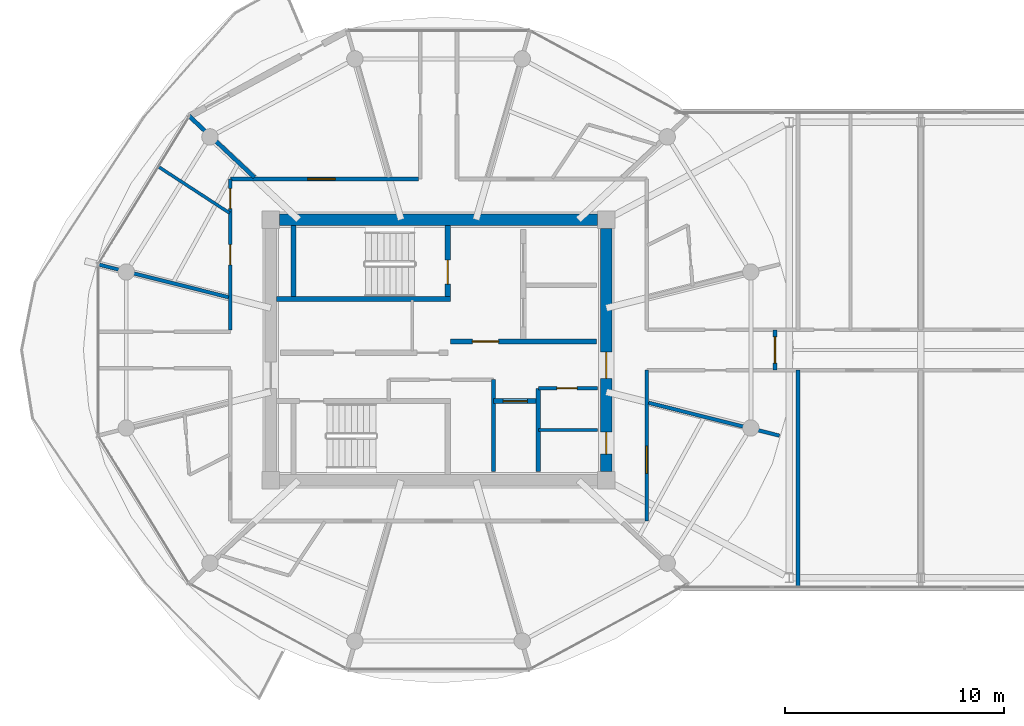
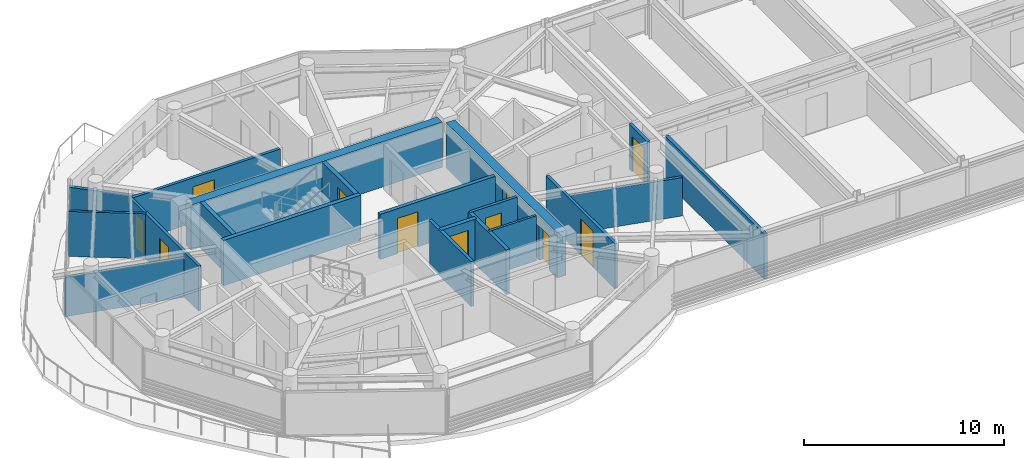
# One storey, part 15 of 23: 20 walls, 11 doors, 11 openings.
"""IFC4 building model written with IfcOpenShell, lengths in metres."""

from ifc_helpers import new_model, si_unit, direction, frame, frame_2d, origin, place, context, subcontext, project, spatial, rectangle, extrude, source, transform, mapped, material, layer, layer_set, type_object, type_shapes, element, fill, save


model = new_model("IFC4")

# Units and contexts
model_context = context("Model", 3, precision=1e-05, world=origin(), true_north=direction((0.0, 1.0)))
body_context = subcontext(model_context, "Body", "Model", "MODEL_VIEW")
ifc_project = project(units=[si_unit("LENGTHUNIT", "METRE"), si_unit("AREAUNIT", "SQUARE_METRE"), si_unit("VOLUMEUNIT", "CUBIC_METRE"), si_unit("PLANEANGLEUNIT", "RADIAN"), si_unit("MASSUNIT", "GRAM", prefix="KILO")], contexts=[model_context])

# Site, building, storey
site_placement = place(None, origin())
site = spatial("IfcSite", under=ifc_project, at=site_placement, CompositionType="ELEMENT")
building_placement = place(site_placement, origin())
building = spatial("IfcBuilding", under=site, at=building_placement, Name="Norrkilde Senior Care Towers", CompositionType="ELEMENT")
storey_placement = place(building_placement, frame((0.0, 0.0, 207.800048828125)))
storey = spatial("IfcBuildingStorey", under=building, at=storey_placement, Name="L64", CompositionType="ELEMENT", Elevation=207.800048828125)

# Wall
ifc_material_1 = material(Name="Concrete C50/60", Category="concrete")
ifc_layer_1 = layer(ifc_material_1, 0.52001953125)
ifc_layer_set_1 = layer_set([ifc_layer_1], Name="Concrete C50/60")
wall_type_1 = type_object("IfcWallType", Name="Core Shear Wall Z4 520", PredefinedType="SHEAR", material=ifc_layer_set_1)
shared_shape_1 = source(origin(), body_context, "Body", "SweptSolid", [
    extrude(rectangle(XDim=14.5, YDim=0.52001953125, at=frame_2d((7.25, 0.0))), origin(), (0.0, 0.0, 1.0), 2.760009765625),
])
wall_1_placement = place(storey_placement, frame((-35.25, 5.949951171875, 0.0), z_axis=(0.0, 0.0, 1.0), x_axis=(1.0, 0.0, 0.0)))
element("IfcWall", 1, at=wall_1_placement, inside=storey, type_object=wall_type_1, Name="L64 Core W North Shear Wall", PredefinedType="SHEAR", context=body_context, shape_type="MappedRepresentation", body=[
    mapped(shared_shape_1, transform((0.0, 0.0, 0.0), x_axis=(1.0, 0.0, 0.0), y_axis=(0.0, 1.0, 0.0), z_axis=(0.0, 0.0, 1.0), scale=1.0)),
])

# Wall, openings, doors
shared_shape_2 = source(origin(), body_context, "Body", "SweptSolid", [
    extrude(rectangle(XDim=11.10009765625, YDim=0.52001953125, at=frame_2d((5.550048828125, 0.0))), origin(), (0.0, 0.0, 1.0), 2.760009765625),
])
type_shapes(wall_type_1, [shared_shape_1, shared_shape_2])
wall_2_placement = place(storey_placement, frame((-20.35009765625, 5.550048828125, 0.0), z_axis=(0.0, 0.0, 1.0), x_axis=(0.0, -1.0, 0.0)))
wall_2 = element("IfcWall", 2, at=wall_2_placement, inside=storey, type_object=wall_type_1, Name="L64 Core W East Shear Wall", PredefinedType="SHEAR", context=body_context, shape_type="MappedRepresentation", body=[
    mapped(shared_shape_2, transform((0.0, 0.0, 0.0), x_axis=(1.0, 0.0, 0.0), y_axis=(0.0, 1.0, 0.0), z_axis=(0.0, 0.0, 1.0), scale=1.0)),
])
opening_1_placement = place(wall_2_placement, frame((5.64990234375, 0.0, 0.0)))
opening_1 = element("IfcOpeningElement", 3, at=opening_1_placement, cuts=wall_2, Name="Opening D-04", PredefinedType="OPENING", context=body_context, shape_type="SweptSolid", body=[
    extrude(rectangle(XDim=1.199951171875, YDim=2.14990234375, at=frame_2d((0.60009765625, 1.074951171875))), frame((0.0, 0.27001953125, 0.0), z_axis=(0.0, -1.0, 0.0), x_axis=(1.0, 0.0, 0.0)), (0.0, 0.0, 1.0), 0.5400390625),
])
opening_2_placement = place(wall_2_placement, frame((9.300048828125, 0.0, 0.0)))
opening_2 = element("IfcOpeningElement", 4, at=opening_2_placement, cuts=wall_2, Name="Opening D-10", PredefinedType="OPENING", context=body_context, shape_type="SweptSolid", body=[
    extrude(rectangle(XDim=1.0, YDim=2.10009765625, at=frame_2d((0.5, 1.050048828125))), frame((0.0, 0.27001953125, 0.0), z_axis=(0.0, -1.0, 0.0), x_axis=(1.0, 0.0, 0.0)), (0.0, 0.0, 1.0), 0.5400390625),
])
ifc_material_2 = material(Name="Galvanised Painted Steel", Category="steel")
door_type_1 = type_object("IfcDoorType", Name="Firefighting Lobby Fire Door 1200x2150", OperationType="NOTDEFINED", PredefinedType="DOOR", material=ifc_material_2)
shared_shape_3 = source(origin(), body_context, "Body", "SweptSolid", [
    extrude(rectangle(XDim=1.199951171875, YDim=2.14990234375, at=frame_2d((0.60009765625, 1.074951171875))), frame((0.0, 0.02490234375, 0.0), z_axis=(0.0, -1.0, 0.0), x_axis=(1.0, 0.0, 0.0)), (0.0, 0.0, 1.0), 0.050048828125),
])
type_shapes(door_type_1, [shared_shape_3])
door_1_placement = place(opening_1_placement, frame((1.199951171875, 0.0, 0.0), z_axis=(0.0, 0.0, 1.0), x_axis=(-1.0, 0.0, 0.0)))
door_1 = element("IfcDoor", 5, at=door_1_placement, inside=storey, type_object=door_type_1, Name="L64 Core W East Portal Door", OperationType="SINGLE_SWING_RIGHT", OverallHeight=2.14990234375, OverallWidth=1.199951171875, PredefinedType="DOOR", context=body_context, shape_type="MappedRepresentation", body=[
    mapped(shared_shape_3, transform((0.0, 0.0, 0.0), x_axis=(1.0, 0.0, 0.0), y_axis=(0.0, 1.0, 0.0), z_axis=(0.0, 0.0, 1.0), scale=1.0)),
])
fill(opening_1, door_1)
door_type_2 = type_object("IfcDoorType", Name="Plant and Riser Rated Door 1000x2100", OperationType="NOTDEFINED", PredefinedType="DOOR", material=ifc_material_2)
shared_shape_4 = source(origin(), body_context, "Body", "SweptSolid", [
    extrude(rectangle(XDim=1.0, YDim=2.10009765625, at=frame_2d((0.5, 1.050048828125))), frame((0.0, 0.02490234375, 0.0), z_axis=(0.0, -1.0, 0.0), x_axis=(1.0, 0.0, 0.0)), (0.0, 0.0, 1.0), 0.050048828125),
])
type_shapes(door_type_2, [shared_shape_4])
door_2_placement = place(opening_2_placement, frame((1.0, 0.0, 0.0), z_axis=(0.0, 0.0, 1.0), x_axis=(-1.0, 0.0, 0.0)))
door_2 = element("IfcDoor", 6, at=door_2_placement, inside=storey, type_object=door_type_2, Name="L64 Ventilation Riser W Door", OperationType="SINGLE_SWING_RIGHT", OverallHeight=2.10009765625, OverallWidth=1.0, PredefinedType="DOOR", context=body_context, shape_type="MappedRepresentation", body=[
    mapped(shared_shape_4, transform((0.0, 0.0, 0.0), x_axis=(1.0, 0.0, 0.0), y_axis=(0.0, 1.0, 0.0), z_axis=(0.0, 0.0, 1.0), scale=1.0)),
])
fill(opening_2, door_2)

# Walls
ifc_material_3 = material(Name="Concrete C45/55", Category="concrete")
ifc_layer_2 = layer(ifc_material_3, 0.239990234375)
ifc_layer_set_2 = layer_set([ifc_layer_2], Name="Concrete C45/55")
wall_type_2 = type_object("IfcWallType", Name="Shaft and Stair Enclosure Wall 240", PredefinedType="PARTITIONING", material=ifc_layer_set_2)
shared_shape_5 = source(origin(), body_context, "Body", "SweptSolid", [
    extrude(rectangle(XDim=7.929931640625, YDim=0.239990234375, at=frame_2d((3.96484375, 0.0))), origin(), (0.0, 0.0, 1.0), 2.760009765625),
])
wall_3_placement = place(storey_placement, frame((-35.389892578125, 2.330078125, 0.0), z_axis=(0.0, 0.0, 1.0), x_axis=(1.0, 0.0, 0.0)))
element("IfcWall", 7, at=wall_3_placement, inside=storey, type_object=wall_type_2, Name="WL-INT-L64-W-ST1S", PredefinedType="PARTITIONING", context=body_context, shape_type="MappedRepresentation", body=[
    mapped(shared_shape_5, transform((0.0, 0.0, 0.0), x_axis=(1.0, 0.0, 0.0), y_axis=(0.0, 1.0, 0.0), z_axis=(0.0, 0.0, 1.0), scale=1.0)),
])
shared_shape_6 = source(origin(), body_context, "Body", "SweptSolid", [
    extrude(rectangle(XDim=3.239990234375, YDim=0.239990234375, at=frame_2d((1.6201171875, 0.0))), origin(), (0.0, 0.0, 1.0), 2.760009765625),
])
type_shapes(wall_type_2, [shared_shape_5, shared_shape_6])
wall_4_placement = place(storey_placement, frame((-34.6201171875, 2.449951171875, 0.0), z_axis=(0.0, 0.0, 1.0), x_axis=(0.0, 1.0, 0.0)))
element("IfcWall", 8, at=wall_4_placement, inside=storey, type_object=wall_type_2, Name="WL-INT-L64-W-ST1W", PredefinedType="PARTITIONING", context=body_context, shape_type="MappedRepresentation", body=[
    mapped(shared_shape_6, transform((0.0, 0.0, 0.0), x_axis=(1.0, 0.0, 0.0), y_axis=(0.0, 1.0, 0.0), z_axis=(0.0, 0.0, 1.0), scale=1.0)),
])

# Wall, opening, door
wall_5_placement = place(storey_placement, frame((-27.580078125, 2.449951171875, 0.0), z_axis=(0.0, 0.0, 1.0), x_axis=(0.0, 1.0, 0.0)))
wall_5 = element("IfcWall", 9, at=wall_5_placement, inside=storey, type_object=wall_type_2, Name="WL-INT-L64-W-ST1E", PredefinedType="PARTITIONING", context=body_context, shape_type="MappedRepresentation", body=[
    mapped(shared_shape_6, transform((0.0, 0.0, 0.0), x_axis=(1.0, 0.0, 0.0), y_axis=(0.0, 1.0, 0.0), z_axis=(0.0, 0.0, 1.0), scale=1.0)),
])
opening_3_placement = place(wall_5_placement, frame((0.550048828125, 0.0, 0.0)))
opening_3 = element("IfcOpeningElement", 10, at=opening_3_placement, cuts=wall_5, Name="Opening D-03", PredefinedType="OPENING", context=body_context, shape_type="SweptSolid", body=[
    extrude(rectangle(XDim=1.10009765625, YDim=2.14990234375, at=frame_2d((0.550048828125, 1.074951171875))), frame((0.0, 0.1298828125, 0.0), z_axis=(0.0, -1.0, 0.0), x_axis=(1.0, 0.0, 0.0)), (0.0, 0.0, 1.0), 0.260009765625),
])
door_type_3 = type_object("IfcDoorType", Name="Stairwell Protected Fire Door 1100x2150", OperationType="NOTDEFINED", PredefinedType="DOOR", material=ifc_material_2)
shared_shape_7 = source(origin(), body_context, "Body", "SweptSolid", [
    extrude(rectangle(XDim=1.10009765625, YDim=2.14990234375, at=frame_2d((0.550048828125, 1.074951171875))), frame((0.0, 0.02490234375, 0.0), z_axis=(0.0, -1.0, 0.0), x_axis=(1.0, 0.0, 0.0)), (0.0, 0.0, 1.0), 0.050048828125),
])
type_shapes(door_type_3, [shared_shape_7])
door_3_placement = place(opening_3_placement, origin())
door_3 = element("IfcDoor", 11, at=door_3_placement, inside=storey, type_object=door_type_3, Name="L64 Stair W1 Fire Door", OperationType="SINGLE_SWING_LEFT", OverallHeight=2.14990234375, OverallWidth=1.10009765625, PredefinedType="DOOR", context=body_context, shape_type="MappedRepresentation", body=[
    mapped(shared_shape_7, transform((0.0, 0.0, 0.0), x_axis=(1.0, 0.0, 0.0), y_axis=(0.0, 1.0, 0.0), z_axis=(0.0, 0.0, 1.0), scale=1.0)),
])
fill(opening_3, door_3)

# Walls
ifc_material_4 = material(Name="Gypsum Acoustic Board")
ifc_layer_3 = layer(ifc_material_4, 0.1650390625)
ifc_layer_set_3 = layer_set([ifc_layer_3], Name="Gypsum Acoustic Board")
wall_type_3 = type_object("IfcWallType", Name="Corridor Rated Partition 165", PredefinedType="PARTITIONING", material=ifc_layer_set_3)
shared_shape_8 = source(origin(), body_context, "Body", "SweptSolid", [
    extrude(rectangle(XDim=6.1572265625, YDim=0.1650390625, at=frame_2d((3.07861328125, 0.0))), origin(), (0.0, 0.0, 1.0), 2.344970703125),
])
wall_6_placement = place(storey_placement, frame((-18.419921875, -2.407470703125, 0.0), z_axis=(0.0, 0.0, 1.0), x_axis=(0.969840867184, -0.243738984038, 0.0)))
element("IfcWall", 12, at=wall_6_placement, inside=storey, type_object=wall_type_3, Name="WL-INT-L64-W-DEM-11-0", PredefinedType="PARTITIONING", context=body_context, shape_type="MappedRepresentation", body=[
    mapped(shared_shape_8, transform((0.0, 0.0, 0.0), x_axis=(1.0, 0.0, 0.0), y_axis=(0.0, 1.0, 0.0), z_axis=(0.0, 0.0, 1.0), scale=1.0)),
])
ifc_layer_4 = layer(ifc_material_4, 0.18994140625)
ifc_layer_set_4 = layer_set([ifc_layer_4], Name="Gypsum Acoustic Board")
wall_type_4 = type_object("IfcWallType", Name="Unit Demising Acoustic Wall 190", PredefinedType="PARTITIONING", material=ifc_layer_set_4)
shared_shape_9 = source(origin(), body_context, "Body", "SweptSolid", [
    extrude(rectangle(XDim=4.089111328125, YDim=0.18994140625, at=frame_2d((2.04443359375, 0.0))), origin(), (0.0, 0.0, 1.0), 2.344970703125),
])
wall_7_placement = place(storey_placement, frame((-36.40185546875, 7.8798828125, 0.0), z_axis=(0.0, 0.0, 1.0), x_axis=(-0.729401273609, 0.684086092577, 0.0)))
element("IfcWall", 13, at=wall_7_placement, inside=storey, type_object=wall_type_4, Name="WL-INT-L64-W-DEM-04-0", PredefinedType="PARTITIONING", context=body_context, shape_type="MappedRepresentation", body=[
    mapped(shared_shape_9, transform((0.0, 0.0, 0.0), x_axis=(1.0, 0.0, 0.0), y_axis=(0.0, 1.0, 0.0), z_axis=(0.0, 0.0, 1.0), scale=1.0)),
])

# Wall, opening, door
ifc_layer_5 = layer(ifc_material_3, 0.2099609375)
ifc_layer_set_5 = layer_set([ifc_layer_5], Name="Concrete C45/55")
wall_type_5 = type_object("IfcWallType", Name="Firefighting Lobby Wall 210", PredefinedType="PARTITIONING", material=ifc_layer_set_5)
shared_shape_10 = source(origin(), body_context, "Body", "SweptSolid", [
    extrude(rectangle(XDim=6.659912109375, YDim=0.2099609375, at=frame_2d((3.330078125, 0.0))), origin(), (0.0, 0.0, 1.0), 2.744873046875),
])
type_shapes(wall_type_5, [shared_shape_10])
wall_8_placement = place(storey_placement, frame((-27.4599609375, 0.389892578125, 0.0), z_axis=(0.0, 0.0, 1.0), x_axis=(1.0, 0.0, 0.0)))
wall_8 = element("IfcWall", 14, at=wall_8_placement, inside=storey, type_object=wall_type_5, Name="WL-INT-L64-W-FFLS", PredefinedType="PARTITIONING", context=body_context, shape_type="MappedRepresentation", body=[
    mapped(shared_shape_10, transform((0.0, 0.0, 0.0), x_axis=(1.0, 0.0, 0.0), y_axis=(0.0, 1.0, 0.0), z_axis=(0.0, 0.0, 1.0), scale=1.0)),
])
opening_4_placement = place(wall_8_placement, frame((1.0, 0.0, 0.0)))
opening_4 = element("IfcOpeningElement", 15, at=opening_4_placement, cuts=wall_8, Name="Opening D-04", PredefinedType="OPENING", context=body_context, shape_type="SweptSolid", body=[
    extrude(rectangle(XDim=1.199951171875, YDim=2.14990234375, at=frame_2d((0.60009765625, 1.074951171875))), frame((0.0, 0.114990234375, 0.0), z_axis=(0.0, -1.0, 0.0), x_axis=(1.0, 0.0, 0.0)), (0.0, 0.0, 1.0), 0.22998046875),
])
door_4_placement = place(opening_4_placement, frame((1.199951171875, 0.0, 0.0), z_axis=(0.0, 0.0, 1.0), x_axis=(-1.0, 0.0, 0.0)))
door_4 = element("IfcDoor", 16, at=door_4_placement, inside=storey, type_object=door_type_1, Name="L64 Firefighting Lobby W Door", OperationType="SINGLE_SWING_LEFT", OverallHeight=2.14990234375, OverallWidth=1.199951171875, PredefinedType="DOOR", context=body_context, shape_type="MappedRepresentation", body=[
    mapped(shared_shape_3, transform((0.0, 0.0, 0.0), x_axis=(1.0, 0.0, 0.0), y_axis=(0.0, 1.0, 0.0), z_axis=(0.0, 0.0, 1.0), scale=1.0)),
])
fill(opening_4, door_4)

# Wall
ifc_layer_6 = layer(ifc_material_3, 0.199951171875)
ifc_layer_set_6 = layer_set([ifc_layer_6], Name="Concrete C45/55")
wall_type_6 = type_object("IfcWallType", Name="Shaft Division and Plant Partition 200", PredefinedType="PARTITIONING", material=ifc_layer_set_6)
shared_shape_11 = source(origin(), body_context, "Body", "SweptSolid", [
    extrude(rectangle(XDim=3.800048828125, YDim=0.199951171875, at=frame_2d((1.89990234375, 0.0))), origin(), (0.0, 0.0, 1.0), 2.744873046875),
])
type_shapes(wall_type_6, [shared_shape_11])
wall_9_placement = place(storey_placement, frame((-23.449951171875, -5.550048828125, 0.0), z_axis=(0.0, 0.0, 1.0), x_axis=(0.0, 1.0, 0.0)))
element("IfcWall", 17, at=wall_9_placement, inside=storey, type_object=wall_type_6, Name="WL-INT-L64-W-PKBE", PredefinedType="PARTITIONING", context=body_context, shape_type="MappedRepresentation", body=[
    mapped(shared_shape_11, transform((0.0, 0.0, 0.0), x_axis=(1.0, 0.0, 0.0), y_axis=(0.0, 1.0, 0.0), z_axis=(0.0, 0.0, 1.0), scale=1.0)),
])

# Wall, opening, door
ifc_layer_7 = layer(ifc_material_3, 0.239990234375)
ifc_layer_set_7 = layer_set([ifc_layer_7], Name="Concrete C45/55")
wall_type_7 = type_object("IfcWallType", Name="Lift and Plant Rated Enclosure Partition 240", PredefinedType="PARTITIONING", material=ifc_layer_set_7)
shared_shape_12 = source(origin(), body_context, "Body", "SweptSolid", [
    extrude(rectangle(XDim=2.050048828125, YDim=0.239990234375, at=frame_2d((1.02490234375, 0.0))), origin(), (0.0, 0.0, 1.0), 2.744873046875),
])
type_shapes(wall_type_7, [shared_shape_12])
wall_10_placement = place(storey_placement, frame((-25.5, -2.330078125, 0.0), z_axis=(0.0, 0.0, 1.0), x_axis=(1.0, 0.0, 0.0)))
wall_10 = element("IfcWall", 18, at=wall_10_placement, inside=storey, type_object=wall_type_7, Name="WL-INT-L64-W-PL4N", PredefinedType="PARTITIONING", context=body_context, shape_type="MappedRepresentation", body=[
    mapped(shared_shape_12, transform((0.0, 0.0, 0.0), x_axis=(1.0, 0.0, 0.0), y_axis=(0.0, 1.0, 0.0), z_axis=(0.0, 0.0, 1.0), scale=1.0)),
])
opening_5_placement = place(wall_10_placement, frame((0.449951171875, 0.0, 0.0)))
opening_5 = element("IfcOpeningElement", 19, at=opening_5_placement, cuts=wall_10, Name="Opening LD-01", PredefinedType="OPENING", context=body_context, shape_type="SweptSolid", body=[
    extrude(rectangle(XDim=1.10009765625, YDim=2.199951171875, at=frame_2d((0.550048828125, 1.10009765625))), frame((0.0, 0.1298828125, 0.0), z_axis=(0.0, -1.0, 0.0), x_axis=(1.0, 0.0, 0.0)), (0.0, 0.0, 1.0), 0.260009765625),
])
ifc_material_5 = material(Name="Stainless Steel", Category="steel")
door_type_4 = type_object("IfcDoorType", Name="Lift Landing Sliding Door 1100x2200", OperationType="NOTDEFINED", PredefinedType="DOOR", material=ifc_material_5)
shared_shape_13 = source(origin(), body_context, "Body", "SweptSolid", [
    extrude(rectangle(XDim=1.10009765625, YDim=2.199951171875, at=frame_2d((0.550048828125, 1.10009765625))), frame((0.0, 0.02490234375, 0.0), z_axis=(0.0, -1.0, 0.0), x_axis=(1.0, 0.0, 0.0)), (0.0, 0.0, 1.0), 0.050048828125),
])
type_shapes(door_type_4, [shared_shape_13])
door_5_placement = place(opening_5_placement, frame((1.10009765625, 0.0, 0.0), z_axis=(0.0, 0.0, 1.0), x_axis=(-1.0, 0.0, 0.0)))
door_5 = element("IfcDoor", 20, at=door_5_placement, inside=storey, type_object=door_type_4, Name="L64 Passenger Lift W4 Landing Door", OperationType="SLIDING_TO_RIGHT", OverallHeight=2.199951171875, OverallWidth=1.10009765625, PredefinedType="DOOR", context=body_context, shape_type="MappedRepresentation", body=[
    mapped(shared_shape_13, transform((0.0, 0.0, 0.0), x_axis=(1.0, 0.0, 0.0), y_axis=(0.0, 1.0, 0.0), z_axis=(0.0, 0.0, 1.0), scale=1.0)),
])
fill(opening_5, door_5)

# Wall
ifc_layer_8 = layer(ifc_material_3, 0.179931640625)
ifc_layer_set_8 = layer_set([ifc_layer_8], Name="Concrete C45/55")
wall_type_8 = type_object("IfcWallType", Name="Hoistway Division Rated Partition 180", PredefinedType="PARTITIONING", material=ifc_layer_set_8)
shared_shape_14 = source(origin(), body_context, "Body", "SweptSolid", [
    extrude(rectangle(XDim=4.199951171875, YDim=0.179931640625, at=frame_2d((2.10009765625, 0.0))), origin(), (0.0, 0.0, 1.0), 2.744873046875),
])
type_shapes(wall_type_8, [shared_shape_14])
wall_11_placement = place(storey_placement, frame((-25.5, -5.550048828125, 0.0), z_axis=(0.0, 0.0, 1.0), x_axis=(0.0, 1.0, 0.0)))
element("IfcWall", 21, at=wall_11_placement, inside=storey, type_object=wall_type_8, Name="WL-INT-L64-W-PL4W", PredefinedType="PARTITIONING", context=body_context, shape_type="MappedRepresentation", body=[
    mapped(shared_shape_14, transform((0.0, 0.0, 0.0), x_axis=(1.0, 0.0, 0.0), y_axis=(0.0, 1.0, 0.0), z_axis=(0.0, 0.0, 1.0), scale=1.0)),
])

# Wall, opening, door
shared_shape_15 = source(origin(), body_context, "Body", "SweptSolid", [
    extrude(rectangle(XDim=2.699951171875, YDim=0.1650390625, at=frame_2d((1.35009765625, 0.0))), origin(), (0.0, 0.0, 1.0), 2.744873046875),
])
wall_12_placement = place(storey_placement, frame((-23.449951171875, -1.75, 0.0), z_axis=(0.0, 0.0, 1.0), x_axis=(1.0, 0.0, 0.0)))
wall_12 = element("IfcWall", 22, at=wall_12_placement, inside=storey, type_object=wall_type_3, Name="WL-INT-L64-W-CSN", PredefinedType="PARTITIONING", context=body_context, shape_type="MappedRepresentation", body=[
    mapped(shared_shape_15, transform((0.0, 0.0, 0.0), x_axis=(1.0, 0.0, 0.0), y_axis=(0.0, 1.0, 0.0), z_axis=(0.0, 0.0, 1.0), scale=1.0)),
])
opening_6_placement = place(wall_12_placement, frame((0.85009765625, 0.0, 0.0)))
opening_6 = element("IfcOpeningElement", 23, at=opening_6_placement, cuts=wall_12, Name="Opening D-12", PredefinedType="OPENING", context=body_context, shape_type="SweptSolid", body=[
    extrude(rectangle(XDim=0.925048828125, YDim=2.10009765625, at=frame_2d((0.46240234375, 1.050048828125))), frame((0.0, 0.092529296875, 0.0), z_axis=(0.0, -1.0, 0.0), x_axis=(1.0, 0.0, 0.0)), (0.0, 0.0, 1.0), 0.18505859375),
])
door_type_5 = type_object("IfcDoorType", Name="Core Wet Room Rated Door 925x2100", OperationType="NOTDEFINED", PredefinedType="DOOR", material=ifc_material_2)
shared_shape_16 = source(origin(), body_context, "Body", "SweptSolid", [
    extrude(rectangle(XDim=0.925048828125, YDim=2.10009765625, at=frame_2d((0.46240234375, 1.050048828125))), frame((0.0, 0.02490234375, 0.0), z_axis=(0.0, -1.0, 0.0), x_axis=(1.0, 0.0, 0.0)), (0.0, 0.0, 1.0), 0.050048828125),
])
type_shapes(door_type_5, [shared_shape_16])
door_6_placement = place(opening_6_placement, origin())
door_6 = element("IfcDoor", 24, at=door_6_placement, inside=storey, type_object=door_type_5, Name="L64 Staff WC W Door", OperationType="SINGLE_SWING_LEFT", OverallHeight=2.10009765625, OverallWidth=0.925048828125, PredefinedType="DOOR", context=body_context, shape_type="MappedRepresentation", body=[
    mapped(shared_shape_16, transform((0.0, 0.0, 0.0), x_axis=(1.0, 0.0, 0.0), y_axis=(0.0, 1.0, 0.0), z_axis=(0.0, 0.0, 1.0), scale=1.0)),
])
fill(opening_6, door_6)

# Wall
ifc_layer_9 = layer(ifc_material_4, 0.139892578125)
ifc_layer_set_9 = layer_set([ifc_layer_9], Name="Gypsum Acoustic Board")
wall_type_9 = type_object("IfcWallType", Name="En-suite Wet Room Wall 140", PredefinedType="PARTITIONING", material=ifc_layer_set_9)
shared_shape_17 = source(origin(), body_context, "Body", "SweptSolid", [
    extrude(rectangle(XDim=2.699951171875, YDim=0.139892578125, at=frame_2d((1.35009765625, 0.0))), origin(), (0.0, 0.0, 1.0), 2.744873046875),
])
wall_13_placement = place(storey_placement, frame((-23.449951171875, -3.64990234375, 0.0), z_axis=(0.0, 0.0, 1.0), x_axis=(1.0, 0.0, 0.0)))
element("IfcWall", 25, at=wall_13_placement, inside=storey, type_object=wall_type_9, Name="WL-INT-L64-W-CS2H", PredefinedType="PARTITIONING", context=body_context, shape_type="MappedRepresentation", body=[
    mapped(shared_shape_17, transform((0.0, 0.0, 0.0), x_axis=(1.0, 0.0, 0.0), y_axis=(0.0, 1.0, 0.0), z_axis=(0.0, 0.0, 1.0), scale=1.0)),
])

# Wall, opening, door
shared_shape_18 = source(origin(), body_context, "Body", "SweptSolid", [
    extrude(rectangle(XDim=8.580078125, YDim=0.1650390625, at=frame_2d((4.2900390625, 0.0))), origin(), (0.0, 0.0, 1.0), 2.744873046875),
])
wall_14_placement = place(storey_placement, frame((-37.5, 7.800048828125, 0.0), z_axis=(0.0, 0.0, 1.0), x_axis=(1.0, 0.0, 0.0)))
wall_14 = element("IfcWall", 26, at=wall_14_placement, inside=storey, type_object=wall_type_3, Name="WL-INT-L64-W-CRW-N-0", PredefinedType="PARTITIONING", context=body_context, shape_type="MappedRepresentation", body=[
    mapped(shared_shape_18, transform((0.0, 0.0, 0.0), x_axis=(1.0, 0.0, 0.0), y_axis=(0.0, 1.0, 0.0), z_axis=(0.0, 0.0, 1.0), scale=1.0)),
])
opening_7_placement = place(wall_14_placement, frame((3.527587890625, 0.0, 0.0)))
opening_7 = element("IfcOpeningElement", 27, at=opening_7_placement, cuts=wall_14, Name="Opening D-05", PredefinedType="OPENING", context=body_context, shape_type="SweptSolid", body=[
    extrude(rectangle(XDim=1.25, YDim=2.199951171875, at=frame_2d((0.625, 1.10009765625))), frame((0.0, 0.092529296875, 0.0), z_axis=(0.0, -1.0, 0.0), x_axis=(1.0, 0.0, 0.0)), (0.0, 0.0, 1.0), 0.18505859375),
])
ifc_material_6 = material(Name="Nordic Ash Timber", Category="wood")
door_type_6 = type_object("IfcDoorType", Name="Care Bedroom Bariatric Door 1250x2200", OperationType="NOTDEFINED", PredefinedType="DOOR", material=ifc_material_6)
shared_shape_19 = source(origin(), body_context, "Body", "SweptSolid", [
    extrude(rectangle(XDim=1.25, YDim=2.199951171875, at=frame_2d((0.625, 1.10009765625))), frame((0.0, 0.02490234375, 0.0), z_axis=(0.0, -1.0, 0.0), x_axis=(1.0, 0.0, 0.0)), (0.0, 0.0, 1.0), 0.050048828125),
])
type_shapes(door_type_6, [shared_shape_19])
door_7_placement = place(opening_7_placement, frame((1.25, 0.0, 0.0), z_axis=(0.0, 0.0, 1.0), x_axis=(-1.0, 0.0, 0.0)))
door_7 = element("IfcDoor", 28, at=door_7_placement, inside=storey, type_object=door_type_6, Name="L64 Geriatric Rehabilitation Clinic Door", OperationType="SINGLE_SWING_RIGHT", OverallHeight=2.199951171875, OverallWidth=1.25, PredefinedType="DOOR", context=body_context, shape_type="MappedRepresentation", body=[
    mapped(shared_shape_19, transform((0.0, 0.0, 0.0), x_axis=(1.0, 0.0, 0.0), y_axis=(0.0, 1.0, 0.0), z_axis=(0.0, 0.0, 1.0), scale=1.0)),
])
fill(opening_7, door_7)

# Wall, openings, doors
shared_shape_20 = source(origin(), body_context, "Body", "SweptSolid", [
    extrude(rectangle(XDim=6.880126953125, YDim=0.1650390625, at=frame_2d((3.43994140625, 0.0))), origin(), (0.0, 0.0, 1.0), 2.744873046875),
])
wall_15_placement = place(storey_placement, frame((-37.5, 0.919921875, 0.0), z_axis=(0.0, 0.0, 1.0), x_axis=(0.0, 1.0, 0.0)))
wall_15 = element("IfcWall", 29, at=wall_15_placement, inside=storey, type_object=wall_type_3, Name="WL-INT-L64-W-CRW-W-1", PredefinedType="PARTITIONING", context=body_context, shape_type="MappedRepresentation", body=[
    mapped(shared_shape_20, transform((0.0, 0.0, 0.0), x_axis=(1.0, 0.0, 0.0), y_axis=(0.0, 1.0, 0.0), z_axis=(0.0, 0.0, 1.0), scale=1.0)),
])
opening_8_placement = place(wall_15_placement, frame((5.525146484375, 0.0, 0.0)))
opening_8 = element("IfcOpeningElement", 30, at=opening_8_placement, cuts=wall_15, Name="Opening D-08", PredefinedType="OPENING", context=body_context, shape_type="SweptSolid", body=[
    extrude(rectangle(XDim=0.919921875, YDim=2.10009765625, at=frame_2d((0.4599609375, 1.050048828125))), frame((0.0, 0.092529296875, 0.0), z_axis=(0.0, -1.0, 0.0), x_axis=(1.0, 0.0, 0.0)), (0.0, 0.0, 1.0), 0.18505859375),
])
opening_9_placement = place(wall_15_placement, frame((2.96240234375, 0.0, 0.0)))
opening_9 = element("IfcOpeningElement", 31, at=opening_9_placement, cuts=wall_15, Name="Opening D-08", PredefinedType="OPENING", context=body_context, shape_type="SweptSolid", body=[
    extrude(rectangle(XDim=0.919921875, YDim=2.10009765625, at=frame_2d((0.4599609375, 1.050048828125))), frame((0.0, 0.092529296875, 0.0), z_axis=(0.0, -1.0, 0.0), x_axis=(1.0, 0.0, 0.0)), (0.0, 0.0, 1.0), 0.18505859375),
])
door_type_7 = type_object("IfcDoorType", Name="Accessible Wet Room Door 920x2100", OperationType="NOTDEFINED", PredefinedType="DOOR", material=ifc_material_6)
shared_shape_21 = source(origin(), body_context, "Body", "SweptSolid", [
    extrude(rectangle(XDim=0.919921875, YDim=2.10009765625, at=frame_2d((0.4599609375, 1.050048828125))), frame((0.0, 0.02490234375, 0.0), z_axis=(0.0, -1.0, 0.0), x_axis=(1.0, 0.0, 0.0)), (0.0, 0.0, 1.0), 0.050048828125),
])
type_shapes(door_type_7, [shared_shape_21])
door_8_placement = place(opening_8_placement, frame((0.919921875, 0.0, 0.0), z_axis=(0.0, 0.0, 1.0), x_axis=(-1.0, 0.0, 0.0)))
door_8 = element("IfcDoor", 32, at=door_8_placement, inside=storey, type_object=door_type_7, Name="L64 Accessible Restroom Door", OperationType="SINGLE_SWING_LEFT", OverallHeight=2.10009765625, OverallWidth=0.919921875, PredefinedType="DOOR", context=body_context, shape_type="MappedRepresentation", body=[
    mapped(shared_shape_21, transform((0.0, 0.0, 0.0), x_axis=(1.0, 0.0, 0.0), y_axis=(0.0, 1.0, 0.0), z_axis=(0.0, 0.0, 1.0), scale=1.0)),
])
fill(opening_8, door_8)
door_9_placement = place(opening_9_placement, frame((0.919921875, 0.0, 0.0), z_axis=(0.0, 0.0, 1.0), x_axis=(-1.0, 0.0, 0.0)))
door_9 = element("IfcDoor", 33, at=door_9_placement, inside=storey, type_object=door_type_7, Name="L64 Public Restroom Door", OperationType="SINGLE_SWING_RIGHT", OverallHeight=2.10009765625, OverallWidth=0.919921875, PredefinedType="DOOR", context=body_context, shape_type="MappedRepresentation", body=[
    mapped(shared_shape_21, transform((0.0, 0.0, 0.0), x_axis=(1.0, 0.0, 0.0), y_axis=(0.0, 1.0, 0.0), z_axis=(0.0, 0.0, 1.0), scale=1.0)),
])
fill(opening_9, door_9)

# Wall, opening, door
wall_16_placement = place(storey_placement, frame((-18.5, -0.919921875, 0.0), z_axis=(0.0, 0.0, 1.0), x_axis=(0.0, -1.0, 0.0)))
wall_16 = element("IfcWall", 34, at=wall_16_placement, inside=storey, type_object=wall_type_3, Name="WL-INT-L64-W-CRW-E-1", PredefinedType="PARTITIONING", context=body_context, shape_type="MappedRepresentation", body=[
    mapped(shared_shape_20, transform((0.0, 0.0, 0.0), x_axis=(1.0, 0.0, 0.0), y_axis=(0.0, 1.0, 0.0), z_axis=(0.0, 0.0, 1.0), scale=1.0)),
])
opening_10_placement = place(wall_16_placement, frame((3.46435546875, 0.0, 0.0)))
opening_10 = element("IfcOpeningElement", 35, at=opening_10_placement, cuts=wall_16, Name="Opening D-05", PredefinedType="OPENING", context=body_context, shape_type="SweptSolid", body=[
    extrude(rectangle(XDim=1.25, YDim=2.199951171875, at=frame_2d((0.625, 1.10009765625))), frame((0.0, 0.092529296875, 0.0), z_axis=(0.0, -1.0, 0.0), x_axis=(1.0, 0.0, 0.0)), (0.0, 0.0, 1.0), 0.18505859375),
])
door_10_placement = place(opening_10_placement, frame((1.25, 0.0, 0.0), z_axis=(0.0, 0.0, 1.0), x_axis=(-1.0, 0.0, 0.0)))
door_10 = element("IfcDoor", 36, at=door_10_placement, inside=storey, type_object=door_type_6, Name="L64 Resident Family Conference Room Door", OperationType="SINGLE_SWING_LEFT", OverallHeight=2.199951171875, OverallWidth=1.25, PredefinedType="DOOR", context=body_context, shape_type="MappedRepresentation", body=[
    mapped(shared_shape_19, transform((0.0, 0.0, 0.0), x_axis=(1.0, 0.0, 0.0), y_axis=(0.0, 1.0, 0.0), z_axis=(0.0, 0.0, 1.0), scale=1.0)),
])
fill(opening_10, door_10)

# Walls
shared_shape_22 = source(origin(), body_context, "Body", "SweptSolid", [
    extrude(rectangle(XDim=6.1572265625, YDim=0.1650390625, at=frame_2d((3.07861328125, 0.0))), origin(), (0.0, 0.0, 1.0), 2.385009765625),
])
wall_17_placement = place(storey_placement, frame((-37.580078125, 2.407470703125, 0.0), z_axis=(0.0, 0.0, 1.0), x_axis=(-0.969840867184, 0.243738984038, 0.0)))
element("IfcWall", 37, at=wall_17_placement, inside=storey, type_object=wall_type_3, Name="WL-INT-L64-W-DEM-05-0", PredefinedType="PARTITIONING", context=body_context, shape_type="MappedRepresentation", body=[
    mapped(shared_shape_22, transform((0.0, 0.0, 0.0), x_axis=(1.0, 0.0, 0.0), y_axis=(0.0, 1.0, 0.0), z_axis=(0.0, 0.0, 1.0), scale=1.0)),
])
shared_shape_23 = source(origin(), body_context, "Body", "SweptSolid", [
    extrude(rectangle(XDim=3.903564453125, YDim=0.139892578125, at=frame_2d((1.95166015625, 0.0))), origin(), (0.0, 0.0, 1.0), 2.744873046875),
])
type_shapes(wall_type_9, [shared_shape_17, shared_shape_23])
wall_18_placement = place(storey_placement, frame((-37.530029296875, 6.245849609375, 0.0), z_axis=(0.0, 0.0, 1.0), x_axis=(-0.838024687996, 0.545632314209, 0.0)))
element("IfcWall", 38, at=wall_18_placement, inside=storey, type_object=wall_type_9, Name="WL-INT-L64-W-MID-04", PredefinedType="PARTITIONING", context=body_context, shape_type="MappedRepresentation", body=[
    mapped(shared_shape_23, transform((0.0, 0.0, 0.0), x_axis=(1.0, 0.0, 0.0), y_axis=(0.0, 1.0, 0.0), z_axis=(0.0, 0.0, 1.0), scale=1.0)),
])

# Wall, opening, door
shared_shape_24 = source(origin(), body_context, "Body", "SweptSolid", [
    extrude(rectangle(XDim=1.83984375, YDim=0.1650390625, at=frame_2d((0.919921875, 0.0))), origin(), (0.0, 0.0, 1.0), 2.744873046875),
])
type_shapes(wall_type_3, [shared_shape_8, shared_shape_15, shared_shape_18, shared_shape_20, shared_shape_22, shared_shape_24])
wall_19_placement = place(storey_placement, frame((-12.64990234375, -0.919921875, 0.0), z_axis=(0.0, 0.0, 1.0), x_axis=(0.0, 1.0, 0.0)))
wall_19 = element("IfcWall", 39, at=wall_19_placement, inside=storey, type_object=wall_type_3, Name="WL-INT-L64-BR-GW", PredefinedType="PARTITIONING", context=body_context, shape_type="MappedRepresentation", body=[
    mapped(shared_shape_24, transform((0.0, 0.0, 0.0), x_axis=(1.0, 0.0, 0.0), y_axis=(0.0, 1.0, 0.0), z_axis=(0.0, 0.0, 1.0), scale=1.0)),
])
opening_11_placement = place(wall_19_placement, frame((0.320068359375, 0.0, 0.0)))
opening_11 = element("IfcOpeningElement", 40, at=opening_11_placement, cuts=wall_19, Name="Opening D-04", PredefinedType="OPENING", context=body_context, shape_type="SweptSolid", body=[
    extrude(rectangle(XDim=1.199951171875, YDim=2.14990234375, at=frame_2d((0.60009765625, 1.074951171875))), frame((0.0, 0.092529296875, 0.0), z_axis=(0.0, -1.0, 0.0), x_axis=(1.0, 0.0, 0.0)), (0.0, 0.0, 1.0), 0.18505859375),
])
door_11_placement = place(opening_11_placement, frame((1.199951171875, 0.0, 0.0), z_axis=(0.0, 0.0, 1.0), x_axis=(-1.0, 0.0, 0.0)))
door_11 = element("IfcDoor", 41, at=door_11_placement, inside=storey, type_object=door_type_1, Name="L64 Sky-Gate Bridge GW Fire Door", OperationType="SINGLE_SWING_LEFT", OverallHeight=2.14990234375, OverallWidth=1.199951171875, PredefinedType="DOOR", context=body_context, shape_type="MappedRepresentation", body=[
    mapped(shared_shape_3, transform((0.0, 0.0, 0.0), x_axis=(1.0, 0.0, 0.0), y_axis=(0.0, 1.0, 0.0), z_axis=(0.0, 0.0, 1.0), scale=1.0)),
])
fill(opening_11, door_11)

# Wall
shared_shape_25 = source(origin(), body_context, "Body", "SweptSolid", [
    extrude(rectangle(XDim=9.880126953125, YDim=0.18994140625, at=frame_2d((4.93994140625, 0.0))), origin(), (0.0, 0.0, 1.0), 2.744873046875),
])
type_shapes(wall_type_4, [shared_shape_9, shared_shape_25])
wall_20_placement = place(storey_placement, frame((-11.60009765625, -10.800048828125, 0.0), z_axis=(0.0, 0.0, 1.0), x_axis=(0.0, 1.0, 0.0)))
element("IfcWall", 42, at=wall_20_placement, inside=storey, type_object=wall_type_4, Name="WL-INT-L64-BR-ES-12", PredefinedType="PARTITIONING", context=body_context, shape_type="MappedRepresentation", body=[
    mapped(shared_shape_25, transform((0.0, 0.0, 0.0), x_axis=(1.0, 0.0, 0.0), y_axis=(0.0, 1.0, 0.0), z_axis=(0.0, 0.0, 1.0), scale=1.0)),
])

save(model, "model.ifc")
